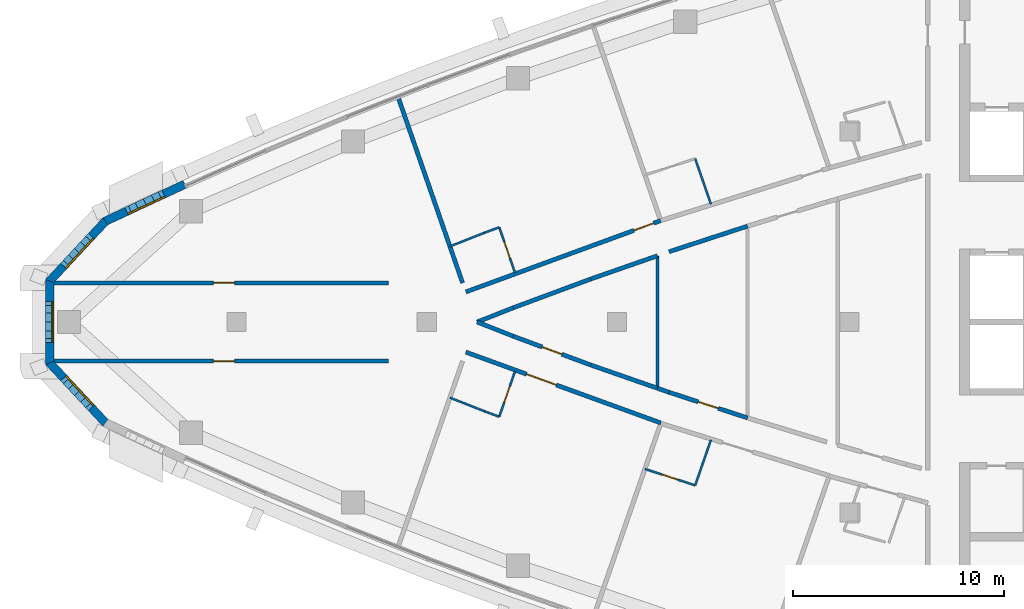
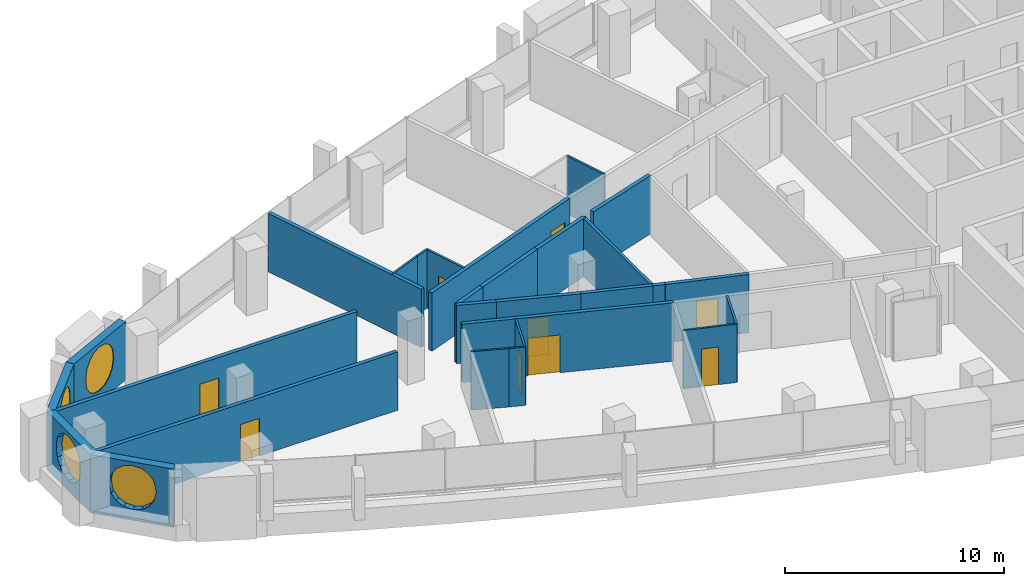
# One storey, part 7 of 15: 28 walls, 9 doors, 4 windows, 13 openings.
"""IFC4 building model written with IfcOpenShell, lengths in metres."""

from ifc_helpers import new_model, si_unit, direction, frame, frame_2d, origin, place, context, subcontext, project, spatial, polyline, rectangle, outline, extrude, material, layer, layer_set, type_object, element, fill, save


model = new_model("IFC4")

# Units and contexts
model_context = context("Model", 3, precision=1e-05, world=origin(), true_north=direction((0.0, 1.0)))
body_context = subcontext(model_context, "Body", "Model", "MODEL_VIEW")
ifc_project = project(units=[si_unit("LENGTHUNIT", "METRE"), si_unit("AREAUNIT", "SQUARE_METRE"), si_unit("VOLUMEUNIT", "CUBIC_METRE"), si_unit("PLANEANGLEUNIT", "RADIAN"), si_unit("MASSUNIT", "GRAM", prefix="KILO")], contexts=[model_context])

# Site, building, storey
site_placement = place(None, origin())
site = spatial("IfcSite", under=ifc_project, at=site_placement, CompositionType="ELEMENT")
building_placement = place(site_placement, origin())
building = spatial("IfcBuilding", under=site, at=building_placement, Name="Ostrand Prow Hotel Tower", CompositionType="ELEMENT")
storey_placement = place(building_placement, frame((0.0, 0.0, 292.75)))
storey = spatial("IfcBuildingStorey", under=building, at=storey_placement, Name="L74", CompositionType="ELEMENT", Elevation=292.75)

# Walls
ifc_material_1 = material(Name="Plasterboard partition")
ifc_layer_1 = layer(ifc_material_1, 0.10009765625)
ifc_layer_set_1 = layer_set([ifc_layer_1], Name="Plasterboard partition")
wall_type_1 = type_object("IfcWallType", Name="Partition 100 bathroom wall", PredefinedType="PARTITIONING", material=ifc_layer_set_1)
wall_1_placement = place(storey_placement, frame((26.095703125, 3.576171875, 0.0), z_axis=(0.0, 0.0, 1.0), x_axis=(0.930254925629, 0.366913850028, 0.0)))
element("IfcWall", 1, at=wall_1_placement, inside=storey, type_object=wall_type_1, Name="BATHROOM WALL", PredefinedType="PARTITIONING", context=body_context, shape_type="SweptSolid", body=[
    extrude(rectangle(XDim=1.760009765625, YDim=0.10009765625, at=frame_2d((0.8798828125, 0.0))), origin(), (0.0, 0.0, 1.0), 3.25),
])
wall_2_placement = place(storey_placement, frame((27.73291015625, 4.221923828125, 0.0), z_axis=(0.0, 0.0, 1.0), x_axis=(0.937514267289, 0.347946833049, 0.0)))
element("IfcWall", 2, at=wall_2_placement, inside=storey, type_object=wall_type_1, Name="BATHROOM WALL", PredefinedType="PARTITIONING", context=body_context, shape_type="SweptSolid", body=[
    extrude(rectangle(XDim=0.74169921875, YDim=0.10009765625, at=frame_2d((0.370849609375, 0.0))), origin(), (0.0, 0.0, 1.0), 3.25),
])

# Wall, opening, door
wall_3_placement = place(storey_placement, frame((28.42822265625, 4.47998046875, 0.0), z_axis=(0.0, 0.0, 1.0), x_axis=(0.327718024288, -0.944775579996, 0.0)))
wall_3 = element("IfcWall", 3, at=wall_3_placement, inside=storey, type_object=wall_type_1, Name="BATHROOM WALL", PredefinedType="PARTITIONING", context=body_context, shape_type="SweptSolid", body=[
    extrude(rectangle(XDim=2.27734375, YDim=0.10009765625, at=frame_2d((1.138671875, 0.0))), origin(), (0.0, 0.0, 1.0), 3.25),
])
opening_1_placement = place(wall_3_placement, frame((0.75, 0.0, 0.0)))
opening_1 = element("IfcOpeningElement", 4, at=opening_1_placement, cuts=wall_3, Name="Opening D2", PredefinedType="OPENING", context=body_context, shape_type="SweptSolid", body=[
    extrude(rectangle(XDim=0.800048828125, YDim=2.10009765625, at=frame_2d((0.39990234375, 1.050048828125))), frame((0.0, 0.06005859375, 0.0), z_axis=(0.0, -1.0, 0.0), x_axis=(1.0, 0.0, 0.0)), (0.0, 0.0, 1.0), 0.1201171875),
])
ifc_material_2 = material(Name="Timber door leaf", Category="wood")
door_type_1 = type_object("IfcDoorType", Name="Bathroom door 800", OperationType="SINGLE_SWING_LEFT", PredefinedType="DOOR", material=ifc_material_2)
door_1_placement = place(opening_1_placement, origin())
door_1 = element("IfcDoor", 5, at=door_1_placement, inside=storey, type_object=door_type_1, Name="DOOR", OperationType="SINGLE_SWING_LEFT", OverallHeight=2.10009765625, OverallWidth=0.800048828125, PredefinedType="DOOR", context=body_context, shape_type="SweptSolid", body=[
    extrude(rectangle(XDim=0.800048828125, YDim=2.10009765625, at=frame_2d((0.39990234375, 1.050048828125))), frame((0.0, 0.02490234375, 0.0), z_axis=(0.0, -1.0, 0.0), x_axis=(1.0, 0.0, 0.0)), (0.0, 0.0, 1.0), 0.050048828125),
])
fill(opening_1, door_1)

# Wall
wall_4_placement = place(storey_placement, frame((37.694091796875, 7.72412109375, 0.0), z_axis=(0.0, 0.0, 1.0), x_axis=(0.327622330203, -0.944808768351, 0.0)))
element("IfcWall", 6, at=wall_4_placement, inside=storey, type_object=wall_type_1, Name="BATHROOM WALL", PredefinedType="PARTITIONING", context=body_context, shape_type="SweptSolid", body=[
    extrude(rectangle(XDim=2.27734375, YDim=0.10009765625, at=frame_2d((1.138671875, 0.0))), origin(), (0.0, 0.0, 1.0), 3.25),
])

# Wall, opening, door
wall_5_placement = place(storey_placement, frame((29.174560546875, -2.328369140625, 0.0), z_axis=(0.0, 0.0, 1.0), x_axis=(-0.327718024288, -0.944775579996, 0.0)))
wall_5 = element("IfcWall", 7, at=wall_5_placement, inside=storey, type_object=wall_type_1, Name="BATHROOM WALL", PredefinedType="PARTITIONING", context=body_context, shape_type="SweptSolid", body=[
    extrude(rectangle(XDim=2.27734375, YDim=0.10009765625, at=frame_2d((1.138671875, 0.0))), origin(), (0.0, 0.0, 1.0), 3.25),
])
opening_2_placement = place(wall_5_placement, frame((0.75, 0.0, 0.0)))
opening_2 = element("IfcOpeningElement", 8, at=opening_2_placement, cuts=wall_5, Name="Opening D2", PredefinedType="OPENING", context=body_context, shape_type="SweptSolid", body=[
    extrude(rectangle(XDim=0.800048828125, YDim=2.10009765625, at=frame_2d((0.39990234375, 1.050048828125))), frame((0.0, 0.06005859375, 0.0), z_axis=(0.0, -1.0, 0.0), x_axis=(1.0, 0.0, 0.0)), (0.0, 0.0, 1.0), 0.1201171875),
])
door_2_placement = place(opening_2_placement, origin())
door_2 = element("IfcDoor", 9, at=door_2_placement, inside=storey, type_object=door_type_1, Name="DOOR", OperationType="SINGLE_SWING_LEFT", OverallHeight=2.10009765625, OverallWidth=0.800048828125, PredefinedType="DOOR", context=body_context, shape_type="SweptSolid", body=[
    extrude(rectangle(XDim=0.800048828125, YDim=2.10009765625, at=frame_2d((0.39990234375, 1.050048828125))), frame((0.0, 0.02490234375, 0.0), z_axis=(0.0, -1.0, 0.0), x_axis=(1.0, 0.0, 0.0)), (0.0, 0.0, 1.0), 0.050048828125),
])
fill(opening_2, door_2)

# Walls
wall_6_placement = place(storey_placement, frame((28.42822265625, -4.47998046875, 0.0), z_axis=(0.0, 0.0, 1.0), x_axis=(-0.937514267289, 0.347946833049, 0.0)))
element("IfcWall", 10, at=wall_6_placement, inside=storey, type_object=wall_type_1, Name="BATHROOM WALL", PredefinedType="PARTITIONING", context=body_context, shape_type="SweptSolid", body=[
    extrude(rectangle(XDim=0.74169921875, YDim=0.10009765625, at=frame_2d((0.370849609375, 0.0))), origin(), (0.0, 0.0, 1.0), 3.25),
])
wall_7_placement = place(storey_placement, frame((27.73291015625, -4.221923828125, 0.0), z_axis=(0.0, 0.0, 1.0), x_axis=(-0.930254925629, 0.366913850028, 0.0)))
element("IfcWall", 11, at=wall_7_placement, inside=storey, type_object=wall_type_1, Name="BATHROOM WALL", PredefinedType="PARTITIONING", context=body_context, shape_type="SweptSolid", body=[
    extrude(rectangle(XDim=1.760009765625, YDim=0.10009765625, at=frame_2d((0.8798828125, 0.0))), origin(), (0.0, 0.0, 1.0), 3.25),
])
wall_8_placement = place(storey_placement, frame((38.440185546875, -5.572509765625, 0.0), z_axis=(0.0, 0.0, 1.0), x_axis=(-0.327622330203, -0.944808768351, 0.0)))
element("IfcWall", 12, at=wall_8_placement, inside=storey, type_object=wall_type_1, Name="BATHROOM WALL", PredefinedType="PARTITIONING", context=body_context, shape_type="SweptSolid", body=[
    extrude(rectangle(XDim=2.27734375, YDim=0.10009765625, at=frame_2d((1.138671875, 0.0))), origin(), (0.0, 0.0, 1.0), 3.25),
])

# Wall, opening, door
wall_9_placement = place(storey_placement, frame((37.69384765625, -7.72412109375, 0.0), z_axis=(0.0, 0.0, 1.0), x_axis=(-0.950666002187, 0.310216299194, 0.0)))
wall_9 = element("IfcWall", 13, at=wall_9_placement, inside=storey, type_object=wall_type_1, Name="BATHROOM WALL", PredefinedType="PARTITIONING", context=body_context, shape_type="SweptSolid", body=[
    extrude(rectangle(XDim=2.500244140625, YDim=0.10009765625, at=frame_2d((1.25, 0.0))), origin(), (0.0, 0.0, 1.0), 3.25),
])
opening_3_placement = place(wall_9_placement, frame((0.85009765625, 0.0, 0.0)))
opening_3 = element("IfcOpeningElement", 14, at=opening_3_placement, cuts=wall_9, Name="Opening D2", PredefinedType="OPENING", context=body_context, shape_type="SweptSolid", body=[
    extrude(rectangle(XDim=0.800048828125, YDim=2.10009765625, at=frame_2d((0.39990234375, 1.050048828125))), frame((0.0, 0.06005859375, 0.0), z_axis=(0.0, -1.0, 0.0), x_axis=(1.0, 0.0, 0.0)), (0.0, 0.0, 1.0), 0.1201171875),
])
door_3_placement = place(opening_3_placement, origin())
door_3 = element("IfcDoor", 15, at=door_3_placement, inside=storey, type_object=door_type_1, Name="DOOR", OperationType="SINGLE_SWING_LEFT", OverallHeight=2.10009765625, OverallWidth=0.800048828125, PredefinedType="DOOR", context=body_context, shape_type="SweptSolid", body=[
    extrude(rectangle(XDim=0.800048828125, YDim=2.10009765625, at=frame_2d((0.39990234375, 1.050048828125))), frame((0.0, 0.02490234375, 0.0), z_axis=(0.0, -1.0, 0.0), x_axis=(1.0, 0.0, 0.0)), (0.0, 0.0, 1.0), 0.050048828125),
])
fill(opening_3, door_3)

# Wall
ifc_material_3 = material(Name="Plasterboard partition")
ifc_layer_2 = layer(ifc_material_3, 0.14990234375)
ifc_layer_set_2 = layer_set([ifc_layer_2], Name="Plasterboard partition")
wall_type_2 = type_object("IfcWallType", Name="Partition 150 room partition", PredefinedType="PARTITIONING", material=ifc_layer_set_2)
wall_10_placement = place(storey_placement, frame((35.911376953125, -3.13330078125, 0.0), z_axis=(0.0, 0.0, 1.0), x_axis=(0.0, 1.0, 0.0)))
element("IfcWall", 16, at=wall_10_placement, inside=storey, type_object=wall_type_2, Name="ROOM PARTITION", PredefinedType="PARTITIONING", context=body_context, shape_type="SweptSolid", body=[
    extrude(rectangle(XDim=6.2666015625, YDim=0.14990234375, at=frame_2d((3.13330078125, 0.0))), origin(), (0.0, 0.0, 1.0), 3.25),
])

# Wall, opening, door
ifc_material_4 = material(Name="Plasterboard partition")
ifc_layer_3 = layer(ifc_material_4, 0.199951171875)
ifc_layer_set_3 = layer_set([ifc_layer_3], Name="Plasterboard partition")
wall_type_3 = type_object("IfcWallType", Name="Partition 200 corridor wall", PredefinedType="PARTITIONING", material=ifc_layer_set_3)
wall_11_placement = place(storey_placement, frame((7.287109375, 1.85009765625, 0.0), z_axis=(0.0, 0.0, 1.0), x_axis=(1.0, 0.0, 0.0)))
wall_11 = element("IfcWall", 17, at=wall_11_placement, inside=storey, type_object=wall_type_3, Name="CORRIDOR WALL", PredefinedType="PARTITIONING", context=body_context, shape_type="SweptSolid", body=[
    extrude(rectangle(XDim=15.898681640625, YDim=0.199951171875, at=frame_2d((7.94921875, 0.0))), origin(), (0.0, 0.0, 1.0), 3.25),
])
opening_4_placement = place(wall_11_placement, frame((7.6240234375, 0.0, 0.0)))
opening_4 = element("IfcOpeningElement", 18, at=opening_4_placement, cuts=wall_11, Name="Opening D1", PredefinedType="OPENING", context=body_context, shape_type="SweptSolid", body=[
    extrude(rectangle(XDim=1.0, YDim=2.10009765625, at=frame_2d((0.5, 1.050048828125))), frame((0.0, 0.10986328125, 0.0), z_axis=(0.0, -1.0, 0.0), x_axis=(1.0, 0.0, 0.0)), (0.0, 0.0, 1.0), 0.219970703125),
])
ifc_material_5 = material(Name="Timber door leaf", Category="wood")
door_type_2 = type_object("IfcDoorType", Name="Guest room door 1000", OperationType="SINGLE_SWING_LEFT", PredefinedType="DOOR", material=ifc_material_5)
door_4_placement = place(opening_4_placement, origin())
door_4 = element("IfcDoor", 19, at=door_4_placement, inside=storey, type_object=door_type_2, Name="DOOR", OperationType="SINGLE_SWING_LEFT", OverallHeight=2.10009765625, OverallWidth=1.0, PredefinedType="DOOR", context=body_context, shape_type="SweptSolid", body=[
    extrude(rectangle(XDim=1.0, YDim=2.10009765625, at=frame_2d((0.5, 1.050048828125))), frame((0.0, 0.02490234375, 0.0), z_axis=(0.0, -1.0, 0.0), x_axis=(1.0, 0.0, 0.0)), (0.0, 0.0, 1.0), 0.050048828125),
])
fill(opening_4, door_4)

wall_12_placement = place(storey_placement, frame((7.287109375, -1.85009765625, 0.0), z_axis=(0.0, 0.0, 1.0), x_axis=(1.0, 0.0, 0.0)))
wall_12 = element("IfcWall", 20, at=wall_12_placement, inside=storey, type_object=wall_type_3, Name="CORRIDOR WALL", PredefinedType="PARTITIONING", context=body_context, shape_type="SweptSolid", body=[
    extrude(rectangle(XDim=15.898681640625, YDim=0.199951171875, at=frame_2d((7.94921875, 0.0))), origin(), (0.0, 0.0, 1.0), 3.25),
])
opening_5_placement = place(wall_12_placement, frame((7.6240234375, 0.0, 0.0)))
opening_5 = element("IfcOpeningElement", 21, at=opening_5_placement, cuts=wall_12, Name="Opening D1R", PredefinedType="OPENING", context=body_context, shape_type="SweptSolid", body=[
    extrude(rectangle(XDim=1.0, YDim=2.10009765625, at=frame_2d((0.5, 1.050048828125))), frame((0.0, 0.10986328125, 0.0), z_axis=(0.0, -1.0, 0.0), x_axis=(1.0, 0.0, 0.0)), (0.0, 0.0, 1.0), 0.219970703125),
])
ifc_material_6 = material(Name="Timber door leaf", Category="wood")
door_type_3 = type_object("IfcDoorType", Name="Guest room door 1000 right", OperationType="SINGLE_SWING_RIGHT", PredefinedType="DOOR", material=ifc_material_6)
door_5_placement = place(opening_5_placement, origin())
door_5 = element("IfcDoor", 22, at=door_5_placement, inside=storey, type_object=door_type_3, Name="DOOR", OperationType="SINGLE_SWING_RIGHT", OverallHeight=2.10009765625, OverallWidth=1.0, PredefinedType="DOOR", context=body_context, shape_type="SweptSolid", body=[
    extrude(rectangle(XDim=1.0, YDim=2.10009765625, at=frame_2d((0.5, 1.050048828125))), frame((0.0, 0.02490234375, 0.0), z_axis=(0.0, -1.0, 0.0), x_axis=(1.0, 0.0, 0.0)), (0.0, 0.0, 1.0), 0.050048828125),
])
fill(opening_5, door_5)

wall_13_placement = place(storey_placement, frame((36.064208984375, 4.794189453125, 0.0), z_axis=(0.0, 0.0, 1.0), x_axis=(-0.93911227702, -0.34361043516, 0.0)))
wall_13 = element("IfcWall", 23, at=wall_13_placement, inside=storey, type_object=wall_type_3, Name="CORRIDOR WALL", PredefinedType="PARTITIONING", context=body_context, shape_type="SweptSolid", body=[
    extrude(rectangle(XDim=9.8115234375, YDim=0.199951171875, at=frame_2d((4.90576171875, 0.0))), origin(), (0.0, 0.0, 1.0), 3.25),
])
opening_6_placement = place(wall_13_placement, frame((0.35009765625, 0.0, 0.0)))
opening_6 = element("IfcOpeningElement", 24, at=opening_6_placement, cuts=wall_13, Name="Opening D1R", PredefinedType="OPENING", context=body_context, shape_type="SweptSolid", body=[
    extrude(rectangle(XDim=1.0, YDim=2.10009765625, at=frame_2d((0.5, 1.050048828125))), frame((0.0, 0.10986328125, 0.0), z_axis=(0.0, -1.0, 0.0), x_axis=(1.0, 0.0, 0.0)), (0.0, 0.0, 1.0), 0.219970703125),
])
door_6_placement = place(opening_6_placement, origin())
door_6 = element("IfcDoor", 25, at=door_6_placement, inside=storey, type_object=door_type_3, Name="DOOR", OperationType="SINGLE_SWING_RIGHT", OverallHeight=2.10009765625, OverallWidth=1.0, PredefinedType="DOOR", context=body_context, shape_type="SweptSolid", body=[
    extrude(rectangle(XDim=1.0, YDim=2.10009765625, at=frame_2d((0.5, 1.050048828125))), frame((0.0, 0.02490234375, 0.0), z_axis=(0.0, -1.0, 0.0), x_axis=(1.0, 0.0, 0.0)), (0.0, 0.0, 1.0), 0.050048828125),
])
fill(opening_6, door_6)

wall_14_placement = place(storey_placement, frame((26.85009765625, -1.4228515625, 0.0), z_axis=(0.0, 0.0, 1.0), x_axis=(0.939807953272, -0.341703103536, 0.0)))
wall_14 = element("IfcWall", 26, at=wall_14_placement, inside=storey, type_object=wall_type_3, Name="CORRIDOR WALL", PredefinedType="PARTITIONING", context=body_context, shape_type="SweptSolid", body=[
    extrude(rectangle(XDim=9.811279296875, YDim=0.199951171875, at=frame_2d((4.90576171875, 0.0))), origin(), (0.0, 0.0, 1.0), 3.25),
])
opening_7_placement = place(wall_14_placement, frame((3.050048828125, 0.0, 0.0)))
opening_7 = element("IfcOpeningElement", 27, at=opening_7_placement, cuts=wall_14, Name="Opening D15", PredefinedType="OPENING", context=body_context, shape_type="SweptSolid", body=[
    extrude(rectangle(XDim=1.5, YDim=2.10009765625, at=frame_2d((0.75, 1.050048828125))), frame((0.0, 0.10986328125, 0.0), z_axis=(0.0, -1.0, 0.0), x_axis=(1.0, 0.0, 0.0)), (0.0, 0.0, 1.0), 0.219970703125),
])
ifc_material_7 = material(Name="Timber door leaf", Category="wood")
door_type_4 = type_object("IfcDoorType", Name="Double door 1500", OperationType="DOUBLE_DOOR_SINGLE_SWING", PredefinedType="DOOR", material=ifc_material_7)
door_7_placement = place(opening_7_placement, origin())
door_7 = element("IfcDoor", 28, at=door_7_placement, inside=storey, type_object=door_type_4, Name="DOOR", OperationType="DOUBLE_DOOR_SINGLE_SWING", OverallHeight=2.10009765625, OverallWidth=1.5, PredefinedType="DOOR", context=body_context, shape_type="SweptSolid", body=[
    extrude(rectangle(XDim=1.5, YDim=2.10009765625, at=frame_2d((0.75, 1.050048828125))), frame((0.0, 0.02490234375, 0.0), z_axis=(0.0, -1.0, 0.0), x_axis=(1.0, 0.0, 0.0)), (0.0, 0.0, 1.0), 0.050048828125),
])
fill(opening_7, door_7)

wall_15_placement = place(storey_placement, frame((32.759765625, -2.034912109375, 0.0), z_axis=(0.0, 0.0, 1.0), x_axis=(-0.937460178932, 0.348092534992, 0.0)))
wall_15 = element("IfcWall", 29, at=wall_15_placement, inside=storey, type_object=wall_type_3, Name="CORRIDOR WALL", PredefinedType="PARTITIONING", context=body_context, shape_type="SweptSolid", body=[
    extrude(rectangle(XDim=3.912841796875, YDim=0.199951171875, at=frame_2d((1.95654296875, 0.0))), origin(), (0.0, 0.0, 1.0), 3.25),
])
opening_8_placement = place(wall_15_placement, frame((1.45654296875, 0.0, 0.0)))
opening_8 = element("IfcOpeningElement", 30, at=opening_8_placement, cuts=wall_15, Name="Opening D1R", PredefinedType="OPENING", context=body_context, shape_type="SweptSolid", body=[
    extrude(rectangle(XDim=1.0, YDim=2.10009765625, at=frame_2d((0.5, 1.050048828125))), frame((0.0, 0.10986328125, 0.0), z_axis=(0.0, -1.0, 0.0), x_axis=(1.0, 0.0, 0.0)), (0.0, 0.0, 1.0), 0.219970703125),
])
door_8_placement = place(opening_8_placement, origin())
door_8 = element("IfcDoor", 31, at=door_8_placement, inside=storey, type_object=door_type_3, Name="DOOR", OperationType="SINGLE_SWING_RIGHT", OverallHeight=2.10009765625, OverallWidth=1.0, PredefinedType="DOOR", context=body_context, shape_type="SweptSolid", body=[
    extrude(rectangle(XDim=1.0, YDim=2.10009765625, at=frame_2d((0.5, 1.050048828125))), frame((0.0, 0.02490234375, 0.0), z_axis=(0.0, -1.0, 0.0), x_axis=(1.0, 0.0, 0.0)), (0.0, 0.0, 1.0), 0.050048828125),
])
fill(opening_8, door_8)

# Walls
for number, where, z_axis, x_axis, name in (
    (32, (29.091552734375, -0.6728515625, 0.0), (0.0, 0.0, 1.0), (-0.930265251482, 0.366887669302, 0.0), "CORRIDOR WALL"),
    (33, (27.385498046875, 0.0, 0.0), (0.0, 0.0, 1.0), (0.930265251482, 0.366887669302, 0.0), "CORRIDOR WALL"),
):
    element("IfcWall", number, at=place(storey_placement, frame(where, z_axis=z_axis, x_axis=x_axis)), inside=storey, type_object=wall_type_3, Name=name, PredefinedType="PARTITIONING", context=body_context, shape_type="SweptSolid", body=[
        extrude(rectangle(XDim=1.833984375, YDim=0.199951171875, at=frame_2d((0.9169921875, 0.0))), origin(), (0.0, 0.0, 1.0), 3.25),
    ])
wall_16_placement = place(storey_placement, frame((29.091552734375, 0.6728515625, 0.0), z_axis=(0.0, 0.0, 1.0), x_axis=(0.937460178932, 0.348092534992, 0.0)))
element("IfcWall", 34, at=wall_16_placement, inside=storey, type_object=wall_type_3, Name="CORRIDOR WALL", PredefinedType="PARTITIONING", context=body_context, shape_type="SweptSolid", body=[
    extrude(rectangle(XDim=3.912841796875, YDim=0.199951171875, at=frame_2d((1.95654296875, 0.0))), origin(), (0.0, 0.0, 1.0), 3.25),
])
for number, where, z_axis, x_axis, name in (
    (35, (32.759765625, 2.034912109375, 0.0), (0.0, 0.0, 1.0), (0.944294313876, 0.329102185927, 0.0), "CORRIDOR WALL"),
    (36, (35.911376953125, -3.13330078125, 0.0), (0.0, 0.0, 1.0), (-0.944294313876, 0.329102185927, 0.0), "CORRIDOR WALL"),
):
    element("IfcWall", number, at=place(storey_placement, frame(where, z_axis=z_axis, x_axis=x_axis)), inside=storey, type_object=wall_type_3, Name=name, PredefinedType="PARTITIONING", context=body_context, shape_type="SweptSolid", body=[
        extrude(rectangle(XDim=3.337646484375, YDim=0.199951171875, at=frame_2d((1.6689453125, 0.0))), origin(), (0.0, 0.0, 1.0), 3.25),
    ])

# Wall, opening, door
wall_17_placement = place(storey_placement, frame((40.17431640625, -4.535888671875, 0.0), z_axis=(0.0, 0.0, 1.0), x_axis=(-0.950716244522, 0.310062287938, 0.0)))
wall_17 = element("IfcWall", 37, at=wall_17_placement, inside=storey, type_object=wall_type_3, Name="CORRIDOR WALL", PredefinedType="PARTITIONING", context=body_context, shape_type="SweptSolid", body=[
    extrude(rectangle(XDim=3.91259765625, YDim=0.199951171875, at=frame_2d((1.956298828125, 0.0))), origin(), (0.0, 0.0, 1.0), 3.25),
])
opening_9_placement = place(wall_17_placement, frame((1.4560546875, 0.0, 0.0)))
opening_9 = element("IfcOpeningElement", 38, at=opening_9_placement, cuts=wall_17, Name="Opening D1", PredefinedType="OPENING", context=body_context, shape_type="SweptSolid", body=[
    extrude(rectangle(XDim=1.0, YDim=2.10009765625, at=frame_2d((0.5, 1.050048828125))), frame((0.0, 0.10986328125, 0.0), z_axis=(0.0, -1.0, 0.0), x_axis=(1.0, 0.0, 0.0)), (0.0, 0.0, 1.0), 0.219970703125),
])
door_9_placement = place(opening_9_placement, origin())
door_9 = element("IfcDoor", 39, at=door_9_placement, inside=storey, type_object=door_type_2, Name="DOOR", OperationType="SINGLE_SWING_LEFT", OverallHeight=2.10009765625, OverallWidth=1.0, PredefinedType="DOOR", context=body_context, shape_type="SweptSolid", body=[
    extrude(rectangle(XDim=1.0, YDim=2.10009765625, at=frame_2d((0.5, 1.050048828125))), frame((0.0, 0.02490234375, 0.0), z_axis=(0.0, -1.0, 0.0), x_axis=(1.0, 0.0, 0.0)), (0.0, 0.0, 1.0), 0.050048828125),
])
fill(opening_9, door_9)

# Walls
wall_18_placement = place(storey_placement, frame((36.45458984375, 3.32275390625, 0.0), z_axis=(0.0, 0.0, 1.0), x_axis=(0.950716244522, 0.310062287938, 0.0)))
element("IfcWall", 40, at=wall_18_placement, inside=storey, type_object=wall_type_3, Name="CORRIDOR WALL", PredefinedType="PARTITIONING", context=body_context, shape_type="SweptSolid", body=[
    extrude(rectangle(XDim=3.91259765625, YDim=0.199951171875, at=frame_2d((1.956298828125, 0.0))), origin(), (0.0, 0.0, 1.0), 3.25),
])
wall_19_placement = place(storey_placement, frame((36.45458984375, -3.32275390625, 0.0), z_axis=(0.0, 0.0, 1.0), x_axis=(-0.9442216639, 0.329310566825, 0.0)))
element("IfcWall", 41, at=wall_19_placement, inside=storey, type_object=wall_type_3, Name="CORRIDOR WALL", PredefinedType="PARTITIONING", context=body_context, shape_type="SweptSolid", body=[
    extrude(rectangle(XDim=0.5751953125, YDim=0.199951171875, at=frame_2d((0.28759765625, 0.0))), origin(), (0.0, 0.0, 1.0), 3.25),
])
ifc_material_8 = material(Name="Plasterboard partition")
ifc_layer_4 = layer(ifc_material_8, 0.199951171875)
ifc_layer_set_4 = layer_set([ifc_layer_4], Name="Plasterboard partition")
wall_type_4 = type_object("IfcWallType", Name="Partition 200 key partition", PredefinedType="PARTITIONING", material=ifc_layer_set_4)
wall_20_placement = place(storey_placement, frame((26.6943359375, 1.85009765625, 0.0), z_axis=(0.0, 0.0, 1.0), x_axis=(-0.327714422317, 0.944776829418, 0.0)))
element("IfcWall", 42, at=wall_20_placement, inside=storey, type_object=wall_type_4, Name="KEY PARTITION", PredefinedType="PARTITIONING", context=body_context, shape_type="SweptSolid", body=[
    extrude(rectangle(XDim=9.2333984375, YDim=0.199951171875, at=frame_2d((4.61669921875, 0.0))), origin(), (0.0, 0.0, 1.0), 3.25),
])

# Wall, opening, window
ifc_material_9 = material(Name="Precast concrete C40/50", Category="concrete")
ifc_layer_5 = layer(ifc_material_9, 0.39990234375)
ifc_layer_set_5 = layer_set([ifc_layer_5], Name="Precast concrete C40/50")
wall_type_5 = type_object("IfcWallType", Name="Stone-faced precast wall 400 mm", PredefinedType="NOTDEFINED", material=ifc_layer_set_5)
wall_21_placement = place(storey_placement, frame((13.55859375, 6.5146484375, 0.0), z_axis=(0.0, 0.0, 1.0), x_axis=(-0.906485602396, -0.42223672584, 0.0)))
wall_21 = element("IfcWall", 43, at=wall_21_placement, inside=storey, type_object=wall_type_5, Name="Stone-faced wall prow 1", PredefinedType="NOTDEFINED", context=body_context, shape_type="SweptSolid", body=[
    extrude(outline(polyline([(0.0, -0.199951171875), (4.1806640625, -0.199951171875), (4.1025390625, 0.199951171875), (0.0, 0.199951171875), (0.0, -0.199951171875)])), origin(), (0.0, 0.0, 1.0), 3.25),
])
opening_10_placement = place(wall_21_placement, frame((0.970947265625, 0.0, 0.60009765625)))
opening_10 = element("IfcOpeningElement", 44, at=opening_10_placement, cuts=wall_21, Name="Opening WP2", PredefinedType="OPENING", context=body_context, shape_type="SweptSolid", body=[
    extrude(outline(polyline([(0.0, 1.35009765625), (0.083740234375, 1.77099609375), (0.322265625, 2.127685546875), (0.678955078125, 2.3662109375), (1.10009765625, 2.449951171875), (1.52099609375, 2.3662109375), (1.877685546875, 2.127685546875), (2.1162109375, 1.77099609375), (2.199951171875, 1.35009765625), (2.199951171875, 1.10009765625), (2.1162109375, 0.678955078125), (1.877685546875, 0.322265625), (1.52099609375, 0.083740234375), (1.10009765625, 0.0), (0.678955078125, 0.083740234375), (0.322265625, 0.322265625), (0.083740234375, 0.678955078125), (0.0, 1.099853515625), (0.0, 1.35009765625)])), frame((0.0, 0.2099609375, 0.0), z_axis=(0.0, -1.0, 0.0), x_axis=(1.0, 0.0, 0.0)), (0.0, 0.0, 1.0), 0.419921875),
])
ifc_material_10 = material(Name="Insulated glass in bronze frame", Category="glass")
window_type = type_object("IfcWindowType", Name="Round-ended prow lounge window 2200x2450", PartitioningType="SINGLE_PANEL", PredefinedType="WINDOW", material=ifc_material_10)
window_1_placement = place(opening_10_placement, origin())
window_1 = element("IfcWindow", 45, at=window_1_placement, inside=storey, type_object=window_type, Name="Window prow 1.1", OverallHeight=2.449951171875, OverallWidth=2.199951171875, PartitioningType="SINGLE_PANEL", PredefinedType="WINDOW", context=body_context, shape_type="SweptSolid", body=[
    extrude(outline(polyline([(0.0, 1.35009765625), (0.083740234375, 1.77099609375), (0.322265625, 2.127685546875), (0.678955078125, 2.3662109375), (1.10009765625, 2.449951171875), (1.52099609375, 2.3662109375), (1.877685546875, 2.127685546875), (2.1162109375, 1.77099609375), (2.199951171875, 1.35009765625), (2.199951171875, 1.10009765625), (2.1162109375, 0.678955078125), (1.877685546875, 0.322265625), (1.52099609375, 0.083740234375), (1.10009765625, 0.0), (0.678955078125, 0.083740234375), (0.322265625, 0.322265625), (0.083740234375, 0.678955078125), (0.0, 1.099853515625), (0.0, 1.35009765625)])), frame((0.0, 0.169921875, 0.0), z_axis=(0.0, -1.0, 0.0), x_axis=(1.0, 0.0, 0.0)), (0.0, 0.0, 1.0), 0.06005859375),
])
fill(opening_10, window_1)

wall_22_placement = place(storey_placement, frame((9.80419921875, 4.765869140625, 0.0), z_axis=(0.0, 0.0, 1.0), x_axis=(-0.6815467277, -0.73177459505, 0.0)))
wall_22 = element("IfcWall", 46, at=wall_22_placement, inside=storey, type_object=wall_type_5, Name="Stone-faced wall prow 2", PredefinedType="NOTDEFINED", context=body_context, shape_type="SweptSolid", body=[
    extrude(outline(polyline([(-0.0390625, -0.199951171875), (3.94775390625, -0.199951171875), (3.79052734375, 0.199951171875), (0.0390625, 0.199951171875), (-0.0390625, -0.199951171875)])), origin(), (0.0, 0.0, 1.0), 3.25),
])
opening_11_placement = place(wall_22_placement, frame((0.834716796875, 0.0, 0.60009765625)))
opening_11 = element("IfcOpeningElement", 47, at=opening_11_placement, cuts=wall_22, Name="Opening WP2", PredefinedType="OPENING", context=body_context, shape_type="SweptSolid", body=[
    extrude(outline(polyline([(0.0, 1.35009765625), (0.083740234375, 1.77099609375), (0.322265625, 2.127685546875), (0.678955078125, 2.3662109375), (1.10009765625, 2.449951171875), (1.52099609375, 2.3662109375), (1.877685546875, 2.127685546875), (2.1162109375, 1.77099609375), (2.199951171875, 1.35009765625), (2.199951171875, 1.10009765625), (2.1162109375, 0.678955078125), (1.877685546875, 0.322265625), (1.52099609375, 0.083740234375), (1.10009765625, 0.0), (0.678955078125, 0.083740234375), (0.322265625, 0.322265625), (0.083740234375, 0.678955078125), (0.0, 1.099853515625), (0.0, 1.35009765625)])), frame((0.0, 0.2099609375, 0.0), z_axis=(0.0, -1.0, 0.0), x_axis=(1.0, 0.0, 0.0)), (0.0, 0.0, 1.0), 0.419921875),
])
window_2_placement = place(opening_11_placement, origin())
window_2 = element("IfcWindow", 48, at=window_2_placement, inside=storey, type_object=window_type, Name="Window prow 2.1", OverallHeight=2.449951171875, OverallWidth=2.199951171875, PartitioningType="SINGLE_PANEL", PredefinedType="WINDOW", context=body_context, shape_type="SweptSolid", body=[
    extrude(outline(polyline([(0.0, 1.35009765625), (0.083740234375, 1.77099609375), (0.322265625, 2.127685546875), (0.678955078125, 2.3662109375), (1.10009765625, 2.449951171875), (1.52099609375, 2.3662109375), (1.877685546875, 2.127685546875), (2.1162109375, 1.77099609375), (2.199951171875, 1.35009765625), (2.199951171875, 1.10009765625), (2.1162109375, 0.678955078125), (1.877685546875, 0.322265625), (1.52099609375, 0.083740234375), (1.10009765625, 0.0), (0.678955078125, 0.083740234375), (0.322265625, 0.322265625), (0.083740234375, 0.678955078125), (0.0, 1.099853515625), (0.0, 1.35009765625)])), frame((0.0, 0.169921875, 0.0), z_axis=(0.0, -1.0, 0.0), x_axis=(1.0, 0.0, 0.0)), (0.0, 0.0, 1.0), 0.06005859375),
])
fill(opening_11, window_2)

wall_23_placement = place(storey_placement, frame((7.167236328125, 1.9345703125, 0.0), z_axis=(0.0, 0.0, 1.0), x_axis=(0.0, -1.0, 0.0)))
wall_23 = element("IfcWall", 49, at=wall_23_placement, inside=storey, type_object=wall_type_5, Name="Stone-faced wall prow 3", PredefinedType="NOTDEFINED", context=body_context, shape_type="SweptSolid", body=[
    extrude(outline(polyline([(-0.07861328125, -0.199951171875), (3.94775390625, -0.199951171875), (3.79052734375, 0.199951171875), (0.07861328125, 0.199951171875), (-0.07861328125, -0.199951171875)])), origin(), (0.0, 0.0, 1.0), 3.25),
])
opening_12_placement = place(wall_23_placement, frame((0.834716796875, 0.0, 0.60009765625)))
opening_12 = element("IfcOpeningElement", 50, at=opening_12_placement, cuts=wall_23, Name="Opening WP2", PredefinedType="OPENING", context=body_context, shape_type="SweptSolid", body=[
    extrude(outline(polyline([(0.0, 1.35009765625), (0.083740234375, 1.77099609375), (0.322265625, 2.127685546875), (0.678955078125, 2.3662109375), (1.10009765625, 2.449951171875), (1.52099609375, 2.3662109375), (1.877685546875, 2.127685546875), (2.1162109375, 1.77099609375), (2.199951171875, 1.35009765625), (2.199951171875, 1.10009765625), (2.1162109375, 0.678955078125), (1.877685546875, 0.322265625), (1.52099609375, 0.083740234375), (1.10009765625, 0.0), (0.678955078125, 0.083740234375), (0.322265625, 0.322265625), (0.083740234375, 0.678955078125), (0.0, 1.099853515625), (0.0, 1.35009765625)])), frame((0.0, 0.2099609375, 0.0), z_axis=(0.0, -1.0, 0.0), x_axis=(1.0, 0.0, 0.0)), (0.0, 0.0, 1.0), 0.419921875),
])
window_3_placement = place(opening_12_placement, origin())
window_3 = element("IfcWindow", 51, at=window_3_placement, inside=storey, type_object=window_type, Name="Window prow 3.1", OverallHeight=2.449951171875, OverallWidth=2.199951171875, PartitioningType="SINGLE_PANEL", PredefinedType="WINDOW", context=body_context, shape_type="SweptSolid", body=[
    extrude(outline(polyline([(0.0, 1.35009765625), (0.083740234375, 1.77099609375), (0.322265625, 2.127685546875), (0.678955078125, 2.3662109375), (1.10009765625, 2.449951171875), (1.52099609375, 2.3662109375), (1.877685546875, 2.127685546875), (2.1162109375, 1.77099609375), (2.199951171875, 1.35009765625), (2.199951171875, 1.10009765625), (2.1162109375, 0.678955078125), (1.877685546875, 0.322265625), (1.52099609375, 0.083740234375), (1.10009765625, 0.0), (0.678955078125, 0.083740234375), (0.322265625, 0.322265625), (0.083740234375, 0.678955078125), (0.0, 1.099853515625), (0.0, 1.35009765625)])), frame((0.0, 0.169921875, 0.0), z_axis=(0.0, -1.0, 0.0), x_axis=(1.0, 0.0, 0.0)), (0.0, 0.0, 1.0), 0.06005859375),
])
fill(opening_12, window_3)

wall_24_placement = place(storey_placement, frame((7.167236328125, -1.9345703125, 0.0), z_axis=(0.0, 0.0, 1.0), x_axis=(0.6815467277, -0.73177459505, 0.0)))
wall_24 = element("IfcWall", 52, at=wall_24_placement, inside=storey, type_object=wall_type_5, Name="Stone-faced wall prow 4", PredefinedType="NOTDEFINED", context=body_context, shape_type="SweptSolid", body=[
    extrude(outline(polyline([(-0.07861328125, -0.199951171875), (3.908203125, -0.199951171875), (3.830078125, 0.199951171875), (0.07861328125, 0.199951171875), (-0.07861328125, -0.199951171875)])), origin(), (0.0, 0.0, 1.0), 3.25),
])
opening_13_placement = place(wall_24_placement, frame((0.834716796875, 0.0, 0.60009765625)))
opening_13 = element("IfcOpeningElement", 53, at=opening_13_placement, cuts=wall_24, Name="Opening WP2", PredefinedType="OPENING", context=body_context, shape_type="SweptSolid", body=[
    extrude(outline(polyline([(0.0, 1.35009765625), (0.083740234375, 1.77099609375), (0.322265625, 2.127685546875), (0.678955078125, 2.3662109375), (1.10009765625, 2.449951171875), (1.52099609375, 2.3662109375), (1.877685546875, 2.127685546875), (2.1162109375, 1.77099609375), (2.199951171875, 1.35009765625), (2.199951171875, 1.10009765625), (2.1162109375, 0.678955078125), (1.877685546875, 0.322265625), (1.52099609375, 0.083740234375), (1.10009765625, 0.0), (0.678955078125, 0.083740234375), (0.322265625, 0.322265625), (0.083740234375, 0.678955078125), (0.0, 1.099853515625), (0.0, 1.35009765625)])), frame((0.0, 0.2099609375, 0.0), z_axis=(0.0, -1.0, 0.0), x_axis=(1.0, 0.0, 0.0)), (0.0, 0.0, 1.0), 0.419921875),
])
window_4_placement = place(opening_13_placement, origin())
window_4 = element("IfcWindow", 54, at=window_4_placement, inside=storey, type_object=window_type, Name="Window prow 4.1", OverallHeight=2.449951171875, OverallWidth=2.199951171875, PartitioningType="SINGLE_PANEL", PredefinedType="WINDOW", context=body_context, shape_type="SweptSolid", body=[
    extrude(outline(polyline([(0.0, 1.35009765625), (0.083740234375, 1.77099609375), (0.322265625, 2.127685546875), (0.678955078125, 2.3662109375), (1.10009765625, 2.449951171875), (1.52099609375, 2.3662109375), (1.877685546875, 2.127685546875), (2.1162109375, 1.77099609375), (2.199951171875, 1.35009765625), (2.199951171875, 1.10009765625), (2.1162109375, 0.678955078125), (1.877685546875, 0.322265625), (1.52099609375, 0.083740234375), (1.10009765625, 0.0), (0.678955078125, 0.083740234375), (0.322265625, 0.322265625), (0.083740234375, 0.678955078125), (0.0, 1.099853515625), (0.0, 1.35009765625)])), frame((0.0, 0.169921875, 0.0), z_axis=(0.0, -1.0, 0.0), x_axis=(1.0, 0.0, 0.0)), (0.0, 0.0, 1.0), 0.06005859375),
])
fill(opening_13, window_4)

save(model, "model.ifc")
